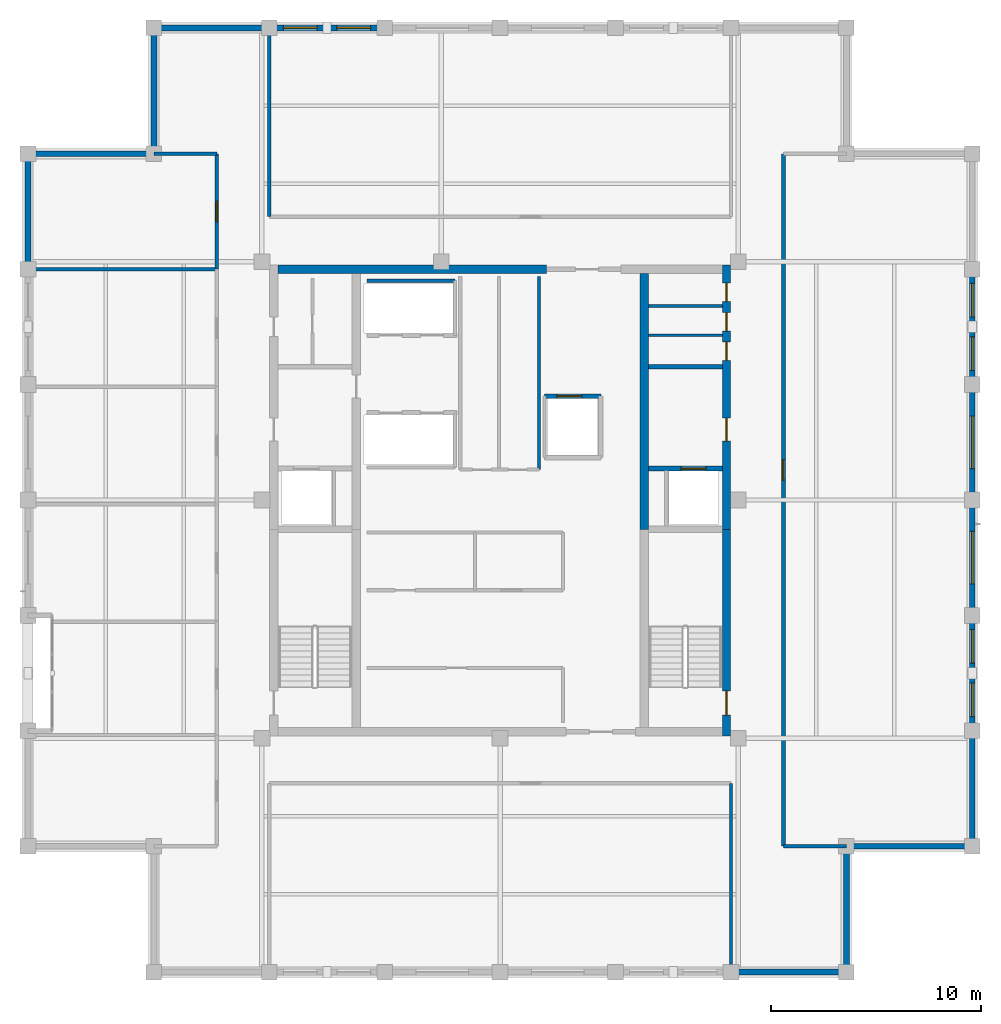
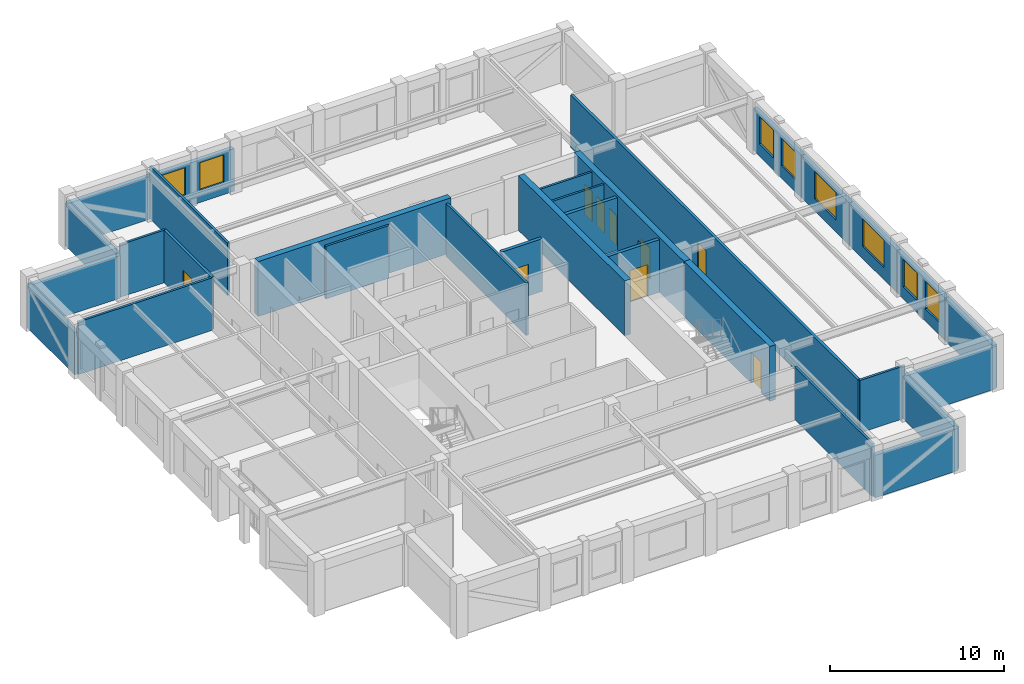
# One storey, part 11 of 13: 31 walls, 9 doors, 8 windows, 17 openings.
"""IFC4 building model written with IfcOpenShell, lengths in metres."""

from ifc_helpers import new_model, si_unit, direction, frame, frame_2d, origin, place, context, subcontext, project, spatial, rectangle, extrude, material, layer, layer_set, type_object, element, fill, save


model = new_model("IFC4")

# Units and contexts
model_context = context("Model", 3, precision=1e-05, world=origin(), true_north=direction((0.0, 1.0)))
body_context = subcontext(model_context, "Body", "Model", "MODEL_VIEW")
ifc_project = project(units=[si_unit("LENGTHUNIT", "METRE"), si_unit("AREAUNIT", "SQUARE_METRE"), si_unit("VOLUMEUNIT", "CUBIC_METRE"), si_unit("PLANEANGLEUNIT", "RADIAN"), si_unit("MASSUNIT", "GRAM", prefix="KILO")], contexts=[model_context])

# Site, building, storey
site_placement = place(None, origin())
site = spatial("IfcSite", under=ifc_project, at=site_placement, CompositionType="ELEMENT")
building_placement = place(site_placement, origin())
building = spatial("IfcBuilding", under=site, at=building_placement, Name="Nhamokura Convention Tower", CompositionType="ELEMENT")
storey_placement = place(building_placement, frame((0.0, 0.0, 300.64990234375)))
storey = spatial("IfcBuildingStorey", under=building, at=storey_placement, Name="L74", CompositionType="ELEMENT", Elevation=300.64990234375)

# Walls
ifc_material_1 = material(Name="Moisture-resistant tile-backer partition", Category="masonry")
ifc_layer_1 = layer(ifc_material_1, 0.139892578125)
ifc_layer_set_1 = layer_set([ifc_layer_1], Name="BathroomWetWall_140")
wall_type_1 = type_object("IfcWallType", Name="BathroomWetWall_140", PredefinedType="STANDARD", material=ifc_layer_set_1)
for number, where, z_axis, x_axis, name in (
    (1, (39.06005859375, 39.85009765625, 0.0), (0.0, 0.0, 1.0), (1.0, 0.0, 0.0), "L74 Wall INT-L74-CWNE1"),
    (2, (39.06005859375, 41.25, 0.0), (0.0, 0.0, 1.0), (1.0, 0.0, 0.0), "L74 Wall INT-L74-CWNE2"),
):
    element("IfcWall", number, at=place(storey_placement, frame(where, z_axis=z_axis, x_axis=x_axis)), inside=storey, type_object=wall_type_1, Name=name, PredefinedType="STANDARD", context=body_context, shape_type="SweptSolid", body=[
        extrude(rectangle(XDim=3.530029296875, YDim=0.139892578125, at=frame_2d((1.76513671875, 0.0))), origin(), (0.0, 0.0, 1.0), 3.68505859375),
    ])
ifc_material_2 = material(Name="Bronze-pigmented precast concrete C45/55", Category="concrete")
ifc_layer_2 = layer(ifc_material_2, 0.280029296875)
ifc_layer_set_2 = layer_set([ifc_layer_2], Name="BronzePrecastSpandrel_280")
wall_type_2 = type_object("IfcWallType", Name="BronzePrecastSpandrel_280", PredefinedType="USERDEFINED", material=ifc_layer_set_2)
for number, where, z_axis, x_axis, name in (
    (3, (48.5, 9.5, 0.0), (0.0, 0.0, 1.0), (-1.0, 0.0, 0.0), "L74 Braced-Bay Precast Wall SOUTH 5"),
    (4, (15.5, 54.5, 0.0), (0.0, 0.0, 1.0), (1.0, 0.0, 0.0), "L74 Braced-Bay Precast Wall NORTH 0"),
):
    element("IfcWall", number, at=place(storey_placement, frame(where, z_axis=z_axis, x_axis=x_axis)), inside=storey, type_object=wall_type_2, Name=name, ObjectType="SPANDREL_WALL", PredefinedType="USERDEFINED", context=body_context, shape_type="SweptSolid", body=[
        extrude(rectangle(XDim=5.5, YDim=0.280029296875, at=frame_2d((2.75, 0.0))), origin(), (0.0, 0.0, 1.0), 2.985107421875),
    ])

# Wall, openings, windows
wall_1_placement = place(storey_placement, frame((21.0, 54.5, 0.0), z_axis=(0.0, 0.0, 1.0), x_axis=(1.0, 0.0, 0.0)))
wall_1 = element("IfcWall", 5, at=wall_1_placement, inside=storey, type_object=wall_type_2, Name="L74 Masonry-Frame Wall NORTH 1", ObjectType="SPANDREL_WALL", PredefinedType="USERDEFINED", context=body_context, shape_type="SweptSolid", body=[
    extrude(rectangle(XDim=5.5, YDim=0.280029296875, at=frame_2d((2.75, 0.0))), origin(), (0.0, 0.0, 1.0), 2.985107421875),
])
opening_1_placement = place(wall_1_placement, frame((0.675048828125, 0.0, 0.85009765625)))
opening_1 = element("IfcOpeningElement", 6, at=opening_1_placement, cuts=wall_1, Name="Opening W-11", PredefinedType="OPENING", context=body_context, shape_type="SweptSolid", body=[
    extrude(rectangle(XDim=1.60009765625, YDim=1.93505859375, at=frame_2d((0.800048828125, 0.967529296875))), frame((0.0, 0.14990234375, 0.0), z_axis=(0.0, -1.0, 0.0), x_axis=(1.0, 0.0, 0.0)), (0.0, 0.0, 1.0), 0.300048828125),
])
opening_2_placement = place(wall_1_placement, frame((3.22509765625, 0.0, 0.85009765625)))
opening_2 = element("IfcOpeningElement", 7, at=opening_2_placement, cuts=wall_1, Name="Opening W-11", PredefinedType="OPENING", context=body_context, shape_type="SweptSolid", body=[
    extrude(rectangle(XDim=1.60009765625, YDim=1.93505859375, at=frame_2d((0.800048828125, 0.967529296875))), frame((0.0, 0.14990234375, 0.0), z_axis=(0.0, -1.0, 0.0), x_axis=(1.0, 0.0, 0.0)), (0.0, 0.0, 1.0), 0.300048828125),
])
ifc_material_3 = material(Name="Solar-control bronze low-E double glass", Category="glass")
window_type_1 = type_object("IfcWindowType", Name="NotchCornerWindow_1600", PartitioningType="SINGLE_PANEL", PredefinedType="WINDOW", material=ifc_material_3)
window_1_placement = place(opening_1_placement, origin())
window_1 = element("IfcWindow", 8, at=window_1_placement, inside=storey, type_object=window_type_1, Name="L74 Facade Window NORTH 1-1", OverallHeight=1.93505859375, OverallWidth=1.60009765625, PartitioningType="SINGLE_PANEL", PredefinedType="WINDOW", context=body_context, shape_type="SweptSolid", body=[
    extrude(rectangle(XDim=1.60009765625, YDim=1.93505859375, at=frame_2d((0.800048828125, 0.967529296875))), frame((0.0, 0.030029296875, 0.0), z_axis=(0.0, -1.0, 0.0), x_axis=(1.0, 0.0, 0.0)), (0.0, 0.0, 1.0), 0.06005859375),
])
fill(opening_1, window_1)
window_2_placement = place(opening_2_placement, origin())
window_2 = element("IfcWindow", 9, at=window_2_placement, inside=storey, type_object=window_type_1, Name="L74 Facade Window NORTH 1-2", OverallHeight=1.93505859375, OverallWidth=1.60009765625, PartitioningType="SINGLE_PANEL", PredefinedType="WINDOW", context=body_context, shape_type="SweptSolid", body=[
    extrude(rectangle(XDim=1.60009765625, YDim=1.93505859375, at=frame_2d((0.800048828125, 0.967529296875))), frame((0.0, 0.030029296875, 0.0), z_axis=(0.0, -1.0, 0.0), x_axis=(1.0, 0.0, 0.0)), (0.0, 0.0, 1.0), 0.06005859375),
])
fill(opening_2, window_2)

# Walls
for number, where, z_axis, x_axis, name in (
    (10, (9.5, 43.0, 0.0), (0.0, 0.0, 1.0), (0.0, 1.0, 0.0), "L74 Braced-Bay Precast Wall WEST 5"),
    (11, (54.5, 21.0, 0.0), (0.0, 0.0, 1.0), (0.0, -1.0, 0.0), "L74 Braced-Bay Precast Wall EAST 0"),
):
    element("IfcWall", number, at=place(storey_placement, frame(where, z_axis=z_axis, x_axis=x_axis)), inside=storey, type_object=wall_type_2, Name=name, ObjectType="SPANDREL_WALL", PredefinedType="USERDEFINED", context=body_context, shape_type="SweptSolid", body=[
        extrude(rectangle(XDim=5.5, YDim=0.280029296875, at=frame_2d((2.75, 0.0))), origin(), (0.0, 0.0, 1.0), 2.985107421875),
    ])

# Wall, openings, windows
wall_2_placement = place(storey_placement, frame((54.5, 26.5, 0.0), z_axis=(0.0, 0.0, 1.0), x_axis=(0.0, -1.0, 0.0)))
wall_2 = element("IfcWall", 12, at=wall_2_placement, inside=storey, type_object=wall_type_2, Name="L74 Masonry-Frame Wall EAST 1", ObjectType="SPANDREL_WALL", PredefinedType="USERDEFINED", context=body_context, shape_type="SweptSolid", body=[
    extrude(rectangle(XDim=5.5, YDim=0.280029296875, at=frame_2d((2.75, 0.0))), origin(), (0.0, 0.0, 1.0), 2.985107421875),
])
opening_3_placement = place(wall_2_placement, frame((0.675048828125, 0.0, 0.85009765625)))
opening_3 = element("IfcOpeningElement", 13, at=opening_3_placement, cuts=wall_2, Name="Opening W-11", PredefinedType="OPENING", context=body_context, shape_type="SweptSolid", body=[
    extrude(rectangle(XDim=1.60009765625, YDim=1.93505859375, at=frame_2d((0.800048828125, 0.967529296875))), frame((0.0, 0.14990234375, 0.0), z_axis=(0.0, -1.0, 0.0), x_axis=(1.0, 0.0, 0.0)), (0.0, 0.0, 1.0), 0.300048828125),
])
opening_4_placement = place(wall_2_placement, frame((3.22509765625, 0.0, 0.85009765625)))
opening_4 = element("IfcOpeningElement", 14, at=opening_4_placement, cuts=wall_2, Name="Opening W-11", PredefinedType="OPENING", context=body_context, shape_type="SweptSolid", body=[
    extrude(rectangle(XDim=1.60009765625, YDim=1.93505859375, at=frame_2d((0.800048828125, 0.967529296875))), frame((0.0, 0.14990234375, 0.0), z_axis=(0.0, -1.0, 0.0), x_axis=(1.0, 0.0, 0.0)), (0.0, 0.0, 1.0), 0.300048828125),
])
window_3_placement = place(opening_3_placement, origin())
window_3 = element("IfcWindow", 15, at=window_3_placement, inside=storey, type_object=window_type_1, Name="L74 Facade Window EAST 1-1", OverallHeight=1.93505859375, OverallWidth=1.60009765625, PartitioningType="SINGLE_PANEL", PredefinedType="WINDOW", context=body_context, shape_type="SweptSolid", body=[
    extrude(rectangle(XDim=1.60009765625, YDim=1.93505859375, at=frame_2d((0.800048828125, 0.967529296875))), frame((0.0, 0.030029296875, 0.0), z_axis=(0.0, -1.0, 0.0), x_axis=(1.0, 0.0, 0.0)), (0.0, 0.0, 1.0), 0.06005859375),
])
fill(opening_3, window_3)
window_4_placement = place(opening_4_placement, origin())
window_4 = element("IfcWindow", 16, at=window_4_placement, inside=storey, type_object=window_type_1, Name="L74 Facade Window EAST 1-2", OverallHeight=1.93505859375, OverallWidth=1.60009765625, PartitioningType="SINGLE_PANEL", PredefinedType="WINDOW", context=body_context, shape_type="SweptSolid", body=[
    extrude(rectangle(XDim=1.60009765625, YDim=1.93505859375, at=frame_2d((0.800048828125, 0.967529296875))), frame((0.0, 0.030029296875, 0.0), z_axis=(0.0, -1.0, 0.0), x_axis=(1.0, 0.0, 0.0)), (0.0, 0.0, 1.0), 0.06005859375),
])
fill(opening_4, window_4)

# Wall, opening, window
wall_3_placement = place(storey_placement, frame((54.5, 32.0, 0.0), z_axis=(0.0, 0.0, 1.0), x_axis=(0.0, -1.0, 0.0)))
wall_3 = element("IfcWall", 17, at=wall_3_placement, inside=storey, type_object=wall_type_2, Name="L74 Masonry-Frame Wall EAST 2", ObjectType="SPANDREL_WALL", PredefinedType="USERDEFINED", context=body_context, shape_type="SweptSolid", body=[
    extrude(rectangle(XDim=5.5, YDim=0.280029296875, at=frame_2d((2.75, 0.0))), origin(), (0.0, 0.0, 1.0), 2.985107421875),
])
opening_5_placement = place(wall_3_placement, frame((1.5, 0.0, 0.85009765625)))
opening_5 = element("IfcOpeningElement", 18, at=opening_5_placement, cuts=wall_3, Name="Opening W-09", PredefinedType="OPENING", context=body_context, shape_type="SweptSolid", body=[
    extrude(rectangle(XDim=2.5, YDim=1.93505859375, at=frame_2d((1.25, 0.967529296875))), frame((0.0, 0.14990234375, 0.0), z_axis=(0.0, -1.0, 0.0), x_axis=(1.0, 0.0, 0.0)), (0.0, 0.0, 1.0), 0.300048828125),
])
ifc_material_4 = material(Name="Solar-control bronze low-E double glass", Category="glass")
window_type_2 = type_object("IfcWindowType", Name="SummitWindow_Z4_2500", PartitioningType="DOUBLE_PANEL_VERTICAL", PredefinedType="WINDOW", material=ifc_material_4)
window_5_placement = place(opening_5_placement, origin())
window_5 = element("IfcWindow", 19, at=window_5_placement, inside=storey, type_object=window_type_2, Name="L74 Facade Window EAST 2", OverallHeight=1.93505859375, OverallWidth=2.5, PartitioningType="SINGLE_PANEL", PredefinedType="WINDOW", context=body_context, shape_type="SweptSolid", body=[
    extrude(rectangle(XDim=2.5, YDim=1.93505859375, at=frame_2d((1.25, 0.967529296875))), frame((0.0, 0.030029296875, 0.0), z_axis=(0.0, -1.0, 0.0), x_axis=(1.0, 0.0, 0.0)), (0.0, 0.0, 1.0), 0.06005859375),
])
fill(opening_5, window_5)

wall_4_placement = place(storey_placement, frame((54.5, 37.5, 0.0), z_axis=(0.0, 0.0, 1.0), x_axis=(0.0, -1.0, 0.0)))
wall_4 = element("IfcWall", 20, at=wall_4_placement, inside=storey, type_object=wall_type_2, Name="L74 Masonry-Frame Wall EAST 3", ObjectType="SPANDREL_WALL", PredefinedType="USERDEFINED", context=body_context, shape_type="SweptSolid", body=[
    extrude(rectangle(XDim=5.5, YDim=0.280029296875, at=frame_2d((2.75, 0.0))), origin(), (0.0, 0.0, 1.0), 2.985107421875),
])
opening_6_placement = place(wall_4_placement, frame((1.5, 0.0, 0.85009765625)))
opening_6 = element("IfcOpeningElement", 21, at=opening_6_placement, cuts=wall_4, Name="Opening W-09", PredefinedType="OPENING", context=body_context, shape_type="SweptSolid", body=[
    extrude(rectangle(XDim=2.5, YDim=1.93505859375, at=frame_2d((1.25, 0.967529296875))), frame((0.0, 0.14990234375, 0.0), z_axis=(0.0, -1.0, 0.0), x_axis=(1.0, 0.0, 0.0)), (0.0, 0.0, 1.0), 0.300048828125),
])
window_6_placement = place(opening_6_placement, origin())
window_6 = element("IfcWindow", 22, at=window_6_placement, inside=storey, type_object=window_type_2, Name="L74 Facade Window EAST 3", OverallHeight=1.93505859375, OverallWidth=2.5, PartitioningType="SINGLE_PANEL", PredefinedType="WINDOW", context=body_context, shape_type="SweptSolid", body=[
    extrude(rectangle(XDim=2.5, YDim=1.93505859375, at=frame_2d((1.25, 0.967529296875))), frame((0.0, 0.030029296875, 0.0), z_axis=(0.0, -1.0, 0.0), x_axis=(1.0, 0.0, 0.0)), (0.0, 0.0, 1.0), 0.06005859375),
])
fill(opening_6, window_6)

# Wall, openings, windows
wall_5_placement = place(storey_placement, frame((54.5, 43.0, 0.0), z_axis=(0.0, 0.0, 1.0), x_axis=(0.0, -1.0, 0.0)))
wall_5 = element("IfcWall", 23, at=wall_5_placement, inside=storey, type_object=wall_type_2, Name="L74 Masonry-Frame Wall EAST 4", ObjectType="SPANDREL_WALL", PredefinedType="USERDEFINED", context=body_context, shape_type="SweptSolid", body=[
    extrude(rectangle(XDim=5.5, YDim=0.280029296875, at=frame_2d((2.75, 0.0))), origin(), (0.0, 0.0, 1.0), 2.985107421875),
])
opening_7_placement = place(wall_5_placement, frame((0.675048828125, 0.0, 0.85009765625)))
opening_7 = element("IfcOpeningElement", 24, at=opening_7_placement, cuts=wall_5, Name="Opening W-11", PredefinedType="OPENING", context=body_context, shape_type="SweptSolid", body=[
    extrude(rectangle(XDim=1.60009765625, YDim=1.93505859375, at=frame_2d((0.800048828125, 0.967529296875))), frame((0.0, 0.14990234375, 0.0), z_axis=(0.0, -1.0, 0.0), x_axis=(1.0, 0.0, 0.0)), (0.0, 0.0, 1.0), 0.300048828125),
])
opening_8_placement = place(wall_5_placement, frame((3.22509765625, 0.0, 0.85009765625)))
opening_8 = element("IfcOpeningElement", 25, at=opening_8_placement, cuts=wall_5, Name="Opening W-11", PredefinedType="OPENING", context=body_context, shape_type="SweptSolid", body=[
    extrude(rectangle(XDim=1.60009765625, YDim=1.93505859375, at=frame_2d((0.800048828125, 0.967529296875))), frame((0.0, 0.14990234375, 0.0), z_axis=(0.0, -1.0, 0.0), x_axis=(1.0, 0.0, 0.0)), (0.0, 0.0, 1.0), 0.300048828125),
])
window_7_placement = place(opening_7_placement, origin())
window_7 = element("IfcWindow", 26, at=window_7_placement, inside=storey, type_object=window_type_1, Name="L74 Facade Window EAST 4-1", OverallHeight=1.93505859375, OverallWidth=1.60009765625, PartitioningType="SINGLE_PANEL", PredefinedType="WINDOW", context=body_context, shape_type="SweptSolid", body=[
    extrude(rectangle(XDim=1.60009765625, YDim=1.93505859375, at=frame_2d((0.800048828125, 0.967529296875))), frame((0.0, 0.030029296875, 0.0), z_axis=(0.0, -1.0, 0.0), x_axis=(1.0, 0.0, 0.0)), (0.0, 0.0, 1.0), 0.06005859375),
])
fill(opening_7, window_7)
window_8_placement = place(opening_8_placement, origin())
window_8 = element("IfcWindow", 27, at=window_8_placement, inside=storey, type_object=window_type_1, Name="L74 Facade Window EAST 4-2", OverallHeight=1.93505859375, OverallWidth=1.60009765625, PartitioningType="SINGLE_PANEL", PredefinedType="WINDOW", context=body_context, shape_type="SweptSolid", body=[
    extrude(rectangle(XDim=1.60009765625, YDim=1.93505859375, at=frame_2d((0.800048828125, 0.967529296875))), frame((0.0, 0.030029296875, 0.0), z_axis=(0.0, -1.0, 0.0), x_axis=(1.0, 0.0, 0.0)), (0.0, 0.0, 1.0), 0.06005859375),
])
fill(opening_8, window_8)

# Walls
for number, where, z_axis, x_axis, name in (
    (28, (48.5, 15.5, 0.0), (0.0, 0.0, 1.0), (0.0, -1.0, 0.0), "L74 Notched Corner Wall SE1"),
    (29, (54.5, 15.5, 0.0), (0.0, 0.0, 1.0), (-1.0, 0.0, 0.0), "L74 Notched Corner Wall SE2"),
    (30, (15.5, 48.5, 0.0), (0.0, 0.0, 1.0), (0.0, 1.0, 0.0), "L74 Notched Corner Wall NW1"),
    (31, (9.5, 48.5, 0.0), (0.0, 0.0, 1.0), (1.0, 0.0, 0.0), "L74 Notched Corner Wall NW2"),
):
    element("IfcWall", number, at=place(storey_placement, frame(where, z_axis=z_axis, x_axis=x_axis)), inside=storey, type_object=wall_type_2, Name=name, ObjectType="SPANDREL_WALL", PredefinedType="USERDEFINED", context=body_context, shape_type="SweptSolid", body=[
        extrude(rectangle(XDim=6.0, YDim=0.280029296875, at=frame_2d((3.0, 0.0))), origin(), (0.0, 0.0, 1.0), 2.985107421875),
    ])

# Wall, opening, door
ifc_material_5 = material(Name="Concrete C50/60", Category="concrete")
ifc_layer_3 = layer(ifc_material_5, 0.39990234375)
ifc_layer_set_3 = layer_set([ifc_layer_3], Name="CoreShearWall_400")
wall_type_3 = type_object("IfcWallType", Name="CoreShearWall_400", PredefinedType="SHEAR", material=ifc_layer_set_3)
wall_6_placement = place(storey_placement, frame((42.7900390625, 20.75, 0.0), z_axis=(0.0, 0.0, 1.0), x_axis=(0.0, 1.0, 0.0)))
wall_6 = element("IfcWall", 32, at=wall_6_placement, inside=storey, type_object=wall_type_3, Name="L74 Core Shear Wall CW-ES", PredefinedType="SHEAR", context=body_context, shape_type="SweptSolid", body=[
    extrude(rectangle(XDim=9.85009765625, YDim=0.39990234375, at=frame_2d((4.925048828125, 0.0))), origin(), (0.0, 0.0, 1.0), 3.85009765625),
])
opening_9_placement = place(wall_6_placement, frame((1.0, 0.0, 0.0)))
opening_9 = element("IfcOpeningElement", 33, at=opening_9_placement, cuts=wall_6, Name="Opening D-04", PredefinedType="OPENING", context=body_context, shape_type="SweptSolid", body=[
    extrude(rectangle(XDim=1.14990234375, YDim=2.14990234375, at=frame_2d((0.574951171875, 1.074951171875))), frame((0.0, 0.2099609375, 0.0), z_axis=(0.0, -1.0, 0.0), x_axis=(1.0, 0.0, 0.0)), (0.0, 0.0, 1.0), 0.419921875),
])
ifc_material_6 = material(Name="Fire-rated steel door", Category="steel")
door_type_1 = type_object("IfcDoorType", Name="StairSmokeDoor_1150", OperationType="NOTDEFINED", PredefinedType="DOOR", material=ifc_material_6)
door_1_placement = place(opening_9_placement, origin())
door_1 = element("IfcDoor", 34, at=door_1_placement, inside=storey, type_object=door_type_1, Name="L74 Core Door INT-L74-D-ST02", OperationType="SINGLE_SWING_RIGHT", OverallHeight=2.14990234375, OverallWidth=1.14990234375, PredefinedType="DOOR", context=body_context, shape_type="SweptSolid", body=[
    extrude(rectangle(XDim=1.14990234375, YDim=2.14990234375, at=frame_2d((0.574951171875, 1.074951171875))), frame((0.0, 0.02490234375, 0.0), z_axis=(0.0, -1.0, 0.0), x_axis=(1.0, 0.0, 0.0)), (0.0, 0.0, 1.0), 0.050048828125),
])
fill(opening_9, door_1)

# Wall, openings, doors
wall_7_placement = place(storey_placement, frame((42.7900390625, 30.60009765625, 0.0), z_axis=(0.0, 0.0, 1.0), x_axis=(0.0, 1.0, 0.0)))
wall_7 = element("IfcWall", 35, at=wall_7_placement, inside=storey, type_object=wall_type_3, Name="L74 Core Shear Wall CW-EN", PredefinedType="SHEAR", context=body_context, shape_type="SweptSolid", body=[
    extrude(rectangle(XDim=12.599853515625, YDim=0.39990234375, at=frame_2d((6.2998046875, 0.0))), origin(), (0.0, 0.0, 1.0), 3.85009765625),
])
opening_10_placement = place(wall_7_placement, frame((4.199951171875, 0.0, 0.0)))
opening_10 = element("IfcOpeningElement", 36, at=opening_10_placement, cuts=wall_7, Name="Opening D-05", PredefinedType="OPENING", context=body_context, shape_type="SweptSolid", body=[
    extrude(rectangle(XDim=1.10009765625, YDim=2.14990234375, at=frame_2d((0.550048828125, 1.074951171875))), frame((0.0, 0.2099609375, 0.0), z_axis=(0.0, -1.0, 0.0), x_axis=(1.0, 0.0, 0.0)), (0.0, 0.0, 1.0), 0.419921875),
])
opening_11_placement = place(wall_7_placement, frame((8.050048828125, 0.0, 0.0)))
opening_11 = element("IfcOpeningElement", 37, at=opening_11_placement, cuts=wall_7, Name="Opening D-11", PredefinedType="OPENING", context=body_context, shape_type="SweptSolid", body=[
    extrude(rectangle(XDim=0.8798828125, YDim=2.10009765625, at=frame_2d((0.43994140625, 1.050048828125))), frame((0.0, 0.2099609375, 0.0), z_axis=(0.0, -1.0, 0.0), x_axis=(1.0, 0.0, 0.0)), (0.0, 0.0, 1.0), 0.419921875),
])
opening_12_placement = place(wall_7_placement, frame((9.449951171875, 0.0, 0.0)))
opening_12 = element("IfcOpeningElement", 38, at=opening_12_placement, cuts=wall_7, Name="Opening D-11", PredefinedType="OPENING", context=body_context, shape_type="SweptSolid", body=[
    extrude(rectangle(XDim=0.8798828125, YDim=2.10009765625, at=frame_2d((0.43994140625, 1.050048828125))), frame((0.0, 0.2099609375, 0.0), z_axis=(0.0, -1.0, 0.0), x_axis=(1.0, 0.0, 0.0)), (0.0, 0.0, 1.0), 0.419921875),
])
opening_13_placement = place(wall_7_placement, frame((10.85009765625, 0.0, 0.0)))
opening_13 = element("IfcOpeningElement", 39, at=opening_13_placement, cuts=wall_7, Name="Opening D-11", PredefinedType="OPENING", context=body_context, shape_type="SweptSolid", body=[
    extrude(rectangle(XDim=0.8798828125, YDim=2.10009765625, at=frame_2d((0.43994140625, 1.050048828125))), frame((0.0, 0.2099609375, 0.0), z_axis=(0.0, -1.0, 0.0), x_axis=(1.0, 0.0, 0.0)), (0.0, 0.0, 1.0), 0.419921875),
])
ifc_material_7 = material(Name="Solid oak hardwood", Category="wood")
door_type_2 = type_object("IfcDoorType", Name="BathroomDoor_880", OperationType="NOTDEFINED", PredefinedType="DOOR", material=ifc_material_7)
door_2_placement = place(opening_11_placement, origin())
door_2 = element("IfcDoor", 40, at=door_2_placement, inside=storey, type_object=door_type_2, Name="L74 Core Door INT-L74-D-MWC", OperationType="SINGLE_SWING_LEFT", OverallHeight=2.10009765625, OverallWidth=0.8798828125, PredefinedType="DOOR", context=body_context, shape_type="SweptSolid", body=[
    extrude(rectangle(XDim=0.8798828125, YDim=2.10009765625, at=frame_2d((0.43994140625, 1.050048828125))), frame((0.0, 0.02490234375, 0.0), z_axis=(0.0, -1.0, 0.0), x_axis=(1.0, 0.0, 0.0)), (0.0, 0.0, 1.0), 0.050048828125),
])
fill(opening_11, door_2)
door_3_placement = place(opening_12_placement, origin())
door_3 = element("IfcDoor", 41, at=door_3_placement, inside=storey, type_object=door_type_2, Name="L74 Core Door INT-L74-D-FWC", OperationType="SINGLE_SWING_RIGHT", OverallHeight=2.10009765625, OverallWidth=0.8798828125, PredefinedType="DOOR", context=body_context, shape_type="SweptSolid", body=[
    extrude(rectangle(XDim=0.8798828125, YDim=2.10009765625, at=frame_2d((0.43994140625, 1.050048828125))), frame((0.0, 0.02490234375, 0.0), z_axis=(0.0, -1.0, 0.0), x_axis=(1.0, 0.0, 0.0)), (0.0, 0.0, 1.0), 0.050048828125),
])
fill(opening_12, door_3)
door_4_placement = place(opening_13_placement, origin())
door_4 = element("IfcDoor", 42, at=door_4_placement, inside=storey, type_object=door_type_2, Name="L74 Core Door INT-L74-D-ARC", OperationType="SINGLE_SWING_LEFT", OverallHeight=2.10009765625, OverallWidth=0.8798828125, PredefinedType="DOOR", context=body_context, shape_type="SweptSolid", body=[
    extrude(rectangle(XDim=0.8798828125, YDim=2.10009765625, at=frame_2d((0.43994140625, 1.050048828125))), frame((0.0, 0.02490234375, 0.0), z_axis=(0.0, -1.0, 0.0), x_axis=(1.0, 0.0, 0.0)), (0.0, 0.0, 1.0), 0.050048828125),
])
fill(opening_13, door_4)
ifc_material_8 = material(Name="Fire-rated steel door", Category="steel")
door_type_3 = type_object("IfcDoorType", Name="FireLobbyDoor_1100", OperationType="NOTDEFINED", PredefinedType="DOOR", material=ifc_material_8)
door_5_placement = place(opening_10_placement, origin())
door_5 = element("IfcDoor", 43, at=door_5_placement, inside=storey, type_object=door_type_3, Name="L74 Core Door INT-L74-D-FFLE", OperationType="SINGLE_SWING_LEFT", OverallHeight=2.14990234375, OverallWidth=1.10009765625, PredefinedType="DOOR", context=body_context, shape_type="SweptSolid", body=[
    extrude(rectangle(XDim=1.10009765625, YDim=2.14990234375, at=frame_2d((0.550048828125, 1.074951171875))), frame((0.0, 0.02490234375, 0.0), z_axis=(0.0, -1.0, 0.0), x_axis=(1.0, 0.0, 0.0)), (0.0, 0.0, 1.0), 0.050048828125),
])
fill(opening_10, door_5)

# Walls
wall_8_placement = place(storey_placement, frame((21.409912109375, 43.0, 0.0), z_axis=(0.0, 0.0, 1.0), x_axis=(1.0, 0.0, 0.0)))
element("IfcWall", 44, at=wall_8_placement, inside=storey, type_object=wall_type_3, Name="L74 Core Shear Wall CW-N1", PredefinedType="SHEAR", context=body_context, shape_type="SweptSolid", body=[
    extrude(rectangle(XDim=12.7900390625, YDim=0.39990234375, at=frame_2d((6.39501953125, 0.0))), origin(), (0.0, 0.0, 1.0), 3.85009765625),
])
wall_9_placement = place(storey_placement, frame((38.860107421875, 30.60009765625, 0.0), z_axis=(0.0, 0.0, 1.0), x_axis=(0.0, 1.0, 0.0)))
element("IfcWall", 45, at=wall_9_placement, inside=storey, type_object=wall_type_3, Name="L74 Core Shear Wall CW-IEN", PredefinedType="SHEAR", context=body_context, shape_type="SweptSolid", body=[
    extrude(rectangle(XDim=12.199951171875, YDim=0.39990234375, at=frame_2d((6.10009765625, 0.0))), origin(), (0.0, 0.0, 1.0), 3.85009765625),
])

# Wall, opening, door
ifc_material_9 = material(Name="Fire-rated gypsum and masonry partition", Category="masonry")
ifc_layer_4 = layer(ifc_material_9, 0.179931640625)
ifc_layer_set_4 = layer_set([ifc_layer_4], Name="CorridorRatedWall_180")
wall_type_4 = type_object("IfcWallType", Name="CorridorRatedWall_180", PredefinedType="STANDARD", material=ifc_layer_set_4)
wall_10_placement = place(storey_placement, frame((18.5, 43.0, 0.0), z_axis=(0.0, 0.0, 1.0), x_axis=(0.0, 1.0, 0.0)))
wall_10 = element("IfcWall", 46, at=wall_10_placement, inside=storey, type_object=wall_type_4, Name="L74 Wall INT-L74-CW-W05", PredefinedType="STANDARD", context=body_context, shape_type="SweptSolid", body=[
    extrude(rectangle(XDim=5.5, YDim=0.179931640625, at=frame_2d((2.75, 0.0))), origin(), (0.0, 0.0, 1.0), 3.68505859375),
])
opening_14_placement = place(wall_10_placement, frame((2.25, 0.0, 0.0)))
opening_14 = element("IfcOpeningElement", 47, at=opening_14_placement, cuts=wall_10, Name="Opening D-08", PredefinedType="OPENING", context=body_context, shape_type="SweptSolid", body=[
    extrude(rectangle(XDim=0.97998046875, YDim=2.199951171875, at=frame_2d((0.489990234375, 1.10009765625))), frame((0.0, 0.099853515625, 0.0), z_axis=(0.0, -1.0, 0.0), x_axis=(1.0, 0.0, 0.0)), (0.0, 0.0, 1.0), 0.199951171875),
])
ifc_material_10 = material(Name="Solid oak hardwood", Category="wood")
door_type_4 = type_object("IfcDoorType", Name="OfficeEntryDoor_980", OperationType="NOTDEFINED", PredefinedType="DOOR", material=ifc_material_10)
door_6_placement = place(opening_14_placement, origin())
door_6 = element("IfcDoor", 48, at=door_6_placement, inside=storey, type_object=door_type_4, Name="L74 Broadcast Studio W06 Door", OperationType="SINGLE_SWING_RIGHT", OverallHeight=2.199951171875, OverallWidth=0.97998046875, PredefinedType="DOOR", context=body_context, shape_type="SweptSolid", body=[
    extrude(rectangle(XDim=0.97998046875, YDim=2.199951171875, at=frame_2d((0.489990234375, 1.10009765625))), frame((0.0, 0.02490234375, 0.0), z_axis=(0.0, -1.0, 0.0), x_axis=(1.0, 0.0, 0.0)), (0.0, 0.0, 1.0), 0.050048828125),
])
fill(opening_14, door_6)

wall_11_placement = place(storey_placement, frame((45.5, 15.5, 0.0), z_axis=(0.0, 0.0, 1.0), x_axis=(0.0, 1.0, 0.0)))
wall_11 = element("IfcWall", 49, at=wall_11_placement, inside=storey, type_object=wall_type_4, Name="L74 Wall INT-L74-CW-E00", PredefinedType="STANDARD", context=body_context, shape_type="SweptSolid", body=[
    extrude(rectangle(XDim=33.0, YDim=0.179931640625, at=frame_2d((16.5, 0.0))), origin(), (0.0, 0.0, 1.0), 3.68505859375),
])
opening_15_placement = place(wall_11_placement, frame((17.449951171875, 0.0, 0.0)))
opening_15 = element("IfcOpeningElement", 50, at=opening_15_placement, cuts=wall_11, Name="Opening D-08", PredefinedType="OPENING", context=body_context, shape_type="SweptSolid", body=[
    extrude(rectangle(XDim=0.97998046875, YDim=2.199951171875, at=frame_2d((0.489990234375, 1.10009765625))), frame((0.0, 0.099853515625, 0.0), z_axis=(0.0, -1.0, 0.0), x_axis=(1.0, 0.0, 0.0)), (0.0, 0.0, 1.0), 0.199951171875),
])
door_7_placement = place(opening_15_placement, origin())
door_7 = element("IfcDoor", 51, at=door_7_placement, inside=storey, type_object=door_type_4, Name="L74 Private Office E01 Door", OperationType="SINGLE_SWING_LEFT", OverallHeight=2.199951171875, OverallWidth=0.97998046875, PredefinedType="DOOR", context=body_context, shape_type="SweptSolid", body=[
    extrude(rectangle(XDim=0.97998046875, YDim=2.199951171875, at=frame_2d((0.489990234375, 1.10009765625))), frame((0.0, 0.02490234375, 0.0), z_axis=(0.0, -1.0, 0.0), x_axis=(1.0, 0.0, 0.0)), (0.0, 0.0, 1.0), 0.050048828125),
])
fill(opening_15, door_7)

ifc_material_11 = material(Name="Autoclaved concrete blockwork", Category="masonry")
ifc_layer_5 = layer(ifc_material_11, 0.219970703125)
ifc_layer_set_5 = layer_set([ifc_layer_5], Name="FireLobbyWall_220")
wall_type_5 = type_object("IfcWallType", Name="FireLobbyWall_220", PredefinedType="STANDARD", material=ifc_layer_set_5)
wall_12_placement = place(storey_placement, frame((39.06005859375, 33.5, 0.0), z_axis=(0.0, 0.0, 1.0), x_axis=(1.0, 0.0, 0.0)))
wall_12 = element("IfcWall", 52, at=wall_12_placement, inside=storey, type_object=wall_type_5, Name="L74 Wall INT-L74-FFE-S", PredefinedType="STANDARD", context=body_context, shape_type="SweptSolid", body=[
    extrude(rectangle(XDim=3.530029296875, YDim=0.219970703125, at=frame_2d((1.76513671875, 0.0))), origin(), (0.0, 0.0, 1.0), 3.68505859375),
])
opening_16_placement = place(wall_12_placement, frame((1.550048828125, 0.0, 0.0)))
opening_16 = element("IfcOpeningElement", 53, at=opening_16_placement, cuts=wall_12, Name="Opening LD-02", PredefinedType="OPENING", context=body_context, shape_type="SweptSolid", body=[
    extrude(rectangle(XDim=1.199951171875, YDim=2.199951171875, at=frame_2d((0.60009765625, 1.10009765625))), frame((0.0, 0.119873046875, 0.0), z_axis=(0.0, -1.0, 0.0), x_axis=(1.0, 0.0, 0.0)), (0.0, 0.0, 1.0), 0.239990234375),
])
ifc_material_12 = material(Name="Anodised bronze stainless steel", Category="steel")
door_type_5 = type_object("IfcDoorType", Name="LiftLandingDoor_FireService", OperationType="DOUBLE_DOOR_SLIDING", PredefinedType="DOOR", material=ifc_material_12)
door_8_placement = place(opening_16_placement, origin())
door_8 = element("IfcDoor", 54, at=door_8_placement, inside=storey, type_object=door_type_5, Name="L74 Firefighting Lift LF-02 Door", OperationType="DOUBLE_DOOR_SLIDING", OverallHeight=2.199951171875, OverallWidth=1.199951171875, PredefinedType="DOOR", context=body_context, shape_type="SweptSolid", body=[
    extrude(rectangle(XDim=1.199951171875, YDim=2.199951171875, at=frame_2d((0.60009765625, 1.10009765625))), frame((0.0, 0.02490234375, 0.0), z_axis=(0.0, -1.0, 0.0), x_axis=(1.0, 0.0, 0.0)), (0.0, 0.0, 1.0), 0.050048828125),
])
fill(opening_16, door_8)

# Wall
wall_13_placement = place(storey_placement, frame((39.06005859375, 38.35009765625, 0.0), z_axis=(0.0, 0.0, 1.0), x_axis=(1.0, 0.0, 0.0)))
element("IfcWall", 55, at=wall_13_placement, inside=storey, type_object=wall_type_5, Name="L74 Wall INT-L74-FFE-N", PredefinedType="STANDARD", context=body_context, shape_type="SweptSolid", body=[
    extrude(rectangle(XDim=3.530029296875, YDim=0.219970703125, at=frame_2d((1.76513671875, 0.0))), origin(), (0.0, 0.0, 1.0), 3.68505859375),
])

# Wall, opening, door
wall_14_placement = place(storey_placement, frame((34.1201171875, 36.949951171875, 0.0), z_axis=(0.0, 0.0, 1.0), x_axis=(1.0, 0.0, 0.0)))
wall_14 = element("IfcWall", 56, at=wall_14_placement, inside=storey, type_object=wall_type_5, Name="L74 Wall INT-L74-LSN", PredefinedType="STANDARD", context=body_context, shape_type="SweptSolid", body=[
    extrude(rectangle(XDim=2.679931640625, YDim=0.219970703125, at=frame_2d((1.33984375, 0.0))), origin(), (0.0, 0.0, 1.0), 3.68505859375),
])
opening_17_placement = place(wall_14_placement, frame((0.580078125, 0.0, 0.0)))
opening_17 = element("IfcOpeningElement", 57, at=opening_17_placement, cuts=wall_14, Name="Opening LD-02", PredefinedType="OPENING", context=body_context, shape_type="SweptSolid", body=[
    extrude(rectangle(XDim=1.199951171875, YDim=2.199951171875, at=frame_2d((0.60009765625, 1.10009765625))), frame((0.0, 0.119873046875, 0.0), z_axis=(0.0, -1.0, 0.0), x_axis=(1.0, 0.0, 0.0)), (0.0, 0.0, 1.0), 0.239990234375),
])
door_9_placement = place(opening_17_placement, origin())
door_9 = element("IfcDoor", 58, at=door_9_placement, inside=storey, type_object=door_type_5, Name="L74 Service Lift LS-01 Door", OperationType="DOUBLE_DOOR_SLIDING", OverallHeight=2.199951171875, OverallWidth=1.199951171875, PredefinedType="DOOR", context=body_context, shape_type="SweptSolid", body=[
    extrude(rectangle(XDim=1.199951171875, YDim=2.199951171875, at=frame_2d((0.60009765625, 1.10009765625))), frame((0.0, 0.02490234375, 0.0), z_axis=(0.0, -1.0, 0.0), x_axis=(1.0, 0.0, 0.0)), (0.0, 0.0, 1.0), 0.050048828125),
])
fill(opening_17, door_9)

# Walls
ifc_material_13 = material(Name="Acoustic gypsum stud partition", Category="masonry")
ifc_layer_6 = layer(ifc_material_13, 0.14990234375)
ifc_layer_set_6 = layer_set([ifc_layer_6], Name="InteriorPartition_150")
wall_type_6 = type_object("IfcWallType", Name="InteriorPartition_150", PredefinedType="STANDARD", material=ifc_layer_set_6)
wall_15_placement = place(storey_placement, frame((25.64990234375, 42.449951171875, 0.0), z_axis=(0.0, 0.0, 1.0), x_axis=(1.0, 0.0, 0.0)))
element("IfcWall", 59, at=wall_15_placement, inside=storey, type_object=wall_type_6, Name="L74 Wall INT-L74-B3B-N", PredefinedType="STANDARD", context=body_context, shape_type="SweptSolid", body=[
    extrude(rectangle(XDim=4.2001953125, YDim=0.14990234375, at=frame_2d((2.10009765625, 0.0))), origin(), (0.0, 0.0, 1.0), 3.68505859375),
])
wall_16_placement = place(storey_placement, frame((33.85009765625, 33.449951171875, 0.0), z_axis=(0.0, 0.0, 1.0), x_axis=(0.0, 1.0, 0.0)))
element("IfcWall", 60, at=wall_16_placement, inside=storey, type_object=wall_type_6, Name="L74 Wall INT-L74-ST03E", PredefinedType="STANDARD", context=body_context, shape_type="SweptSolid", body=[
    extrude(rectangle(XDim=9.199951171875, YDim=0.14990234375, at=frame_2d((4.60009765625, 0.0))), origin(), (0.0, 0.0, 1.0), 3.68505859375),
])
for number, where, z_axis, x_axis, name in (
    (61, (43.0, 9.56005859375, 0.0), (0.0, 0.0, 1.0), (0.0, 1.0, 0.0), "L74 Wall INT-L74-RWR-S"),
    (62, (21.0, 45.5, 0.0), (0.0, 0.0, 1.0), (0.0, 1.0, 0.0), "L74 Wall INT-L74-RWL-N"),
    (63, (9.56005859375, 43.0, 0.0), (0.0, 0.0, 1.0), (1.0, 0.0, 0.0), "L74 Wall INT-L74-RW-W05"),
):
    element("IfcWall", number, at=place(storey_placement, frame(where, z_axis=z_axis, x_axis=x_axis)), inside=storey, type_object=wall_type_6, Name=name, PredefinedType="STANDARD", context=body_context, shape_type="SweptSolid", body=[
        extrude(rectangle(XDim=8.93994140625, YDim=0.14990234375, at=frame_2d((4.469970703125, 0.0))), origin(), (0.0, 0.0, 1.0), 3.68505859375),
    ])
for number, where, z_axis, x_axis, name in (
    (64, (15.5, 48.5, 0.0), (0.0, 0.0, 1.0), (1.0, 0.0, 0.0), "L74 Wall INT-L74-VSTP-WN"),
    (65, (45.5, 15.5, 0.0), (0.0, 0.0, 1.0), (1.0, 0.0, 0.0), "L74 Wall INT-L74-VSTP-ES"),
):
    element("IfcWall", number, at=place(storey_placement, frame(where, z_axis=z_axis, x_axis=x_axis)), inside=storey, type_object=wall_type_6, Name=name, PredefinedType="STANDARD", context=body_context, shape_type="SweptSolid", body=[
        extrude(rectangle(XDim=3.0, YDim=0.14990234375, at=frame_2d((1.5, 0.0))), origin(), (0.0, 0.0, 1.0), 3.68505859375),
    ])

save(model, "model.ifc")
